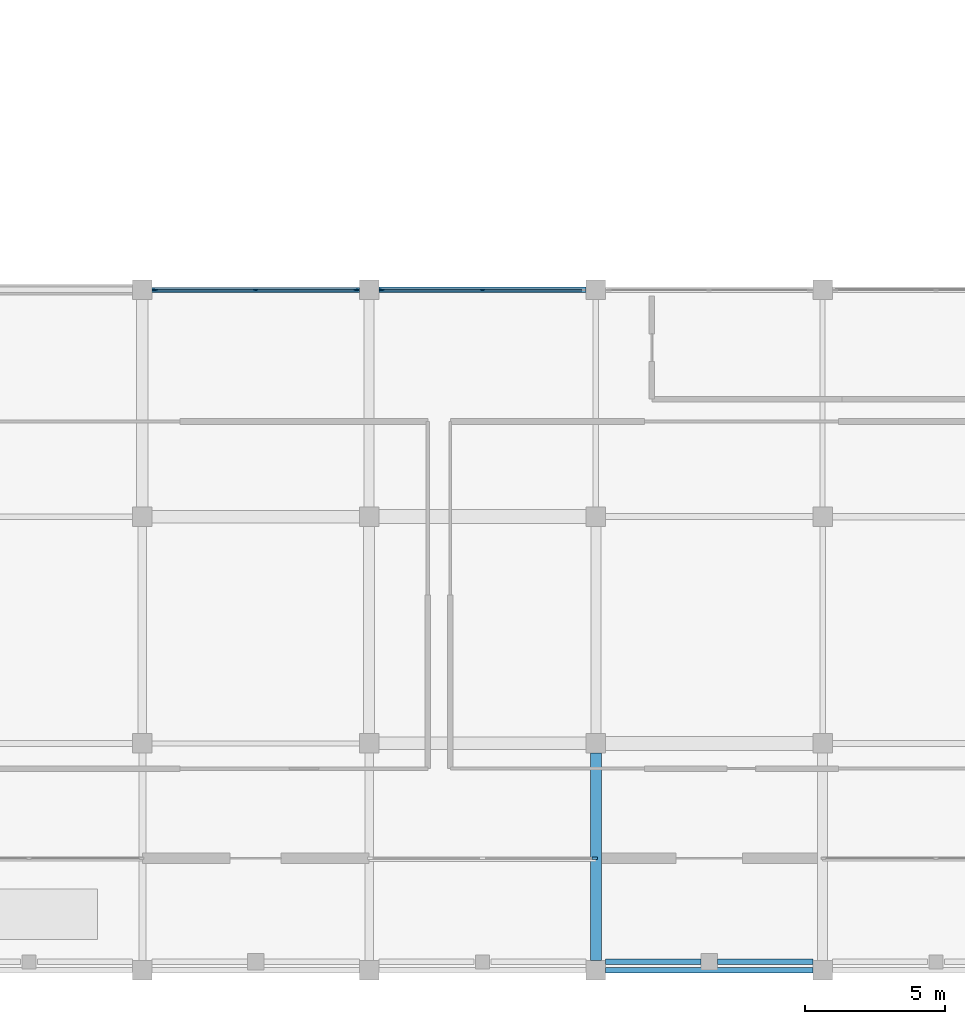
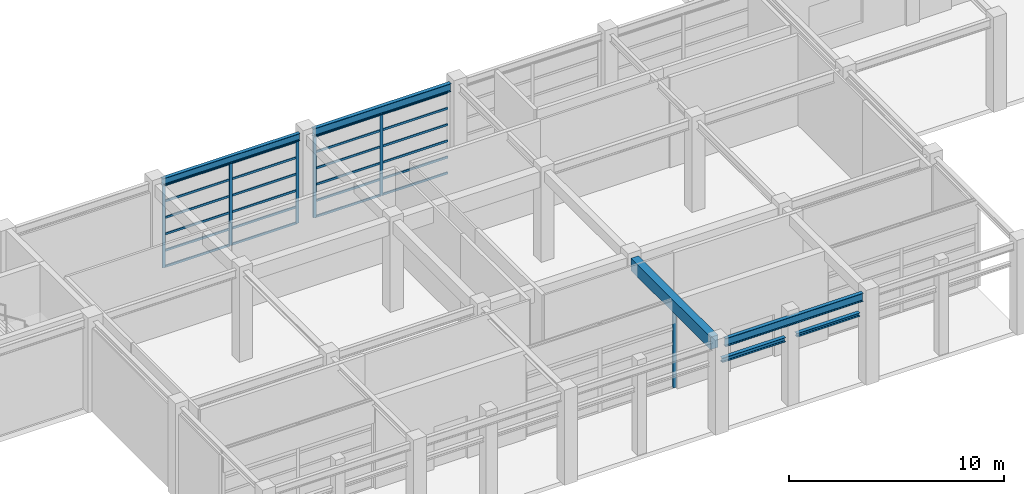
# One storey, part 11 of 52: 30 members, 6 beams, 3 elements without a shape of their own.
"""IFC4 building model written with IfcOpenShell, lengths in metres."""

from ifc_helpers import new_model, si_unit, direction, frame, origin, origin_2d, place, context, subcontext, project, spatial, rectangle, i_section, extrude, material, material_profile, profile_set, type_object, element, aggregate, save


model = new_model("IFC4")

# Units and contexts
model_context = context("Model", 3, precision=1e-05, world=origin(), true_north=direction((0.0, 1.0)))
body_context = subcontext(model_context, "Body", "Model", "MODEL_VIEW")
ifc_project = project(units=[si_unit("LENGTHUNIT", "METRE"), si_unit("AREAUNIT", "SQUARE_METRE"), si_unit("VOLUMEUNIT", "CUBIC_METRE"), si_unit("PLANEANGLEUNIT", "RADIAN"), si_unit("MASSUNIT", "GRAM", prefix="KILO")], contexts=[model_context])

# Site, building, storey
site_placement = place(None, origin())
site = spatial("IfcSite", under=ifc_project, at=site_placement, CompositionType="ELEMENT")
building_placement = place(site_placement, origin())
building = spatial("IfcBuilding", under=site, at=building_placement, Name="Parian Resonance Hall", CompositionType="ELEMENT")
storey_placement = place(building_placement, origin())
storey = spatial("IfcBuildingStorey", under=building, at=storey_placement, Name="L00", CompositionType="ELEMENT", Elevation=0.0)

# Beams
ifc_material_1 = material(Name="Concrete C40/50", Category="concrete")
ifc_material_profile_1 = material_profile(ifc_material_1, rectangle(XDim=0.39990234375, YDim=0.699951171875, at=origin_2d()), Name="RC-BM-400x700")
ifc_profile_set_1 = profile_set([ifc_material_profile_1], Name="Concrete C40/50")
beam_type_1 = type_object("IfcBeamType", Name="BM-RC400x700", PredefinedType="BEAM", material=ifc_profile_set_1)
beam_1_placement = place(storey_placement, frame((97.199951171875, 0.35009765625, 4.75), z_axis=(0.0, 1.0, 0.0), x_axis=(-1.0, 0.0, 0.0)))
element("IfcBeam", 1, at=beam_1_placement, inside=storey, type_object=beam_type_1, Name="GY-L00-0443", PredefinedType="BEAM", context=body_context, shape_type="SweptSolid", body=[
    extrude(rectangle(XDim=0.39990234375, YDim=0.699951171875, at=origin_2d()), origin(), (0.0, 0.0, 1.0), 7.39990234375),
])
ifc_material_2 = material(Name="Steel S355", Category="steel")
ifc_material_profile_2 = material_profile(ifc_material_2, i_section(OverallWidth=0.202880859375, OverallDepth=0.202880859375, WebThickness=0.007080078125, FlangeThickness=0.010986328125, FilletRadius=0.01025390625, at=origin_2d()), Name="W200x46")
ifc_profile_set_2 = profile_set([ifc_material_profile_2], Name="Steel S355")
beam_type_2 = type_object("IfcBeamType", Name="BM-W200x46", PredefinedType="LINTEL", material=ifc_profile_set_2)
beam_2_placement = place(storey_placement, frame((101.550048828125, 0.300048828125, 3.698486328125), z_axis=(1.0, 0.0, 0.0), x_axis=(0.0, 1.0, 0.0)))
element("IfcBeam", 2, at=beam_2_placement, inside=storey, type_object=beam_type_2, Name="LN-S-12B", PredefinedType="LINTEL", context=body_context, shape_type="SweptSolid", body=[
    extrude(i_section(OverallWidth=0.202880859375, OverallDepth=0.202880859375, WebThickness=0.007080078125, FlangeThickness=0.010986328125, FilletRadius=0.01025390625, at=origin_2d()), origin(), (0.0, 0.0, 1.0), 3.39990234375),
])
ifc_material_3 = material(Name="Steel S355", Category="steel")
ifc_material_profile_3 = material_profile(ifc_material_3, i_section(OverallWidth=0.202880859375, OverallDepth=0.251953125, WebThickness=0.008056640625, FlangeThickness=0.013427734375, FilletRadius=0.0126953125, at=origin_2d()), Name="W250x58")
ifc_profile_set_3 = profile_set([ifc_material_profile_3], Name="Steel S355")
beam_type_3 = type_object("IfcBeamType", Name="BM-W250x58", PredefinedType="LINTEL", material=ifc_profile_set_3)
beam_3_placement = place(storey_placement, frame((97.550048828125, 0.300048828125, 3.674072265625), z_axis=(1.0, 0.0, 0.0), x_axis=(0.0, 1.0, 0.0)))
element("IfcBeam", 3, at=beam_3_placement, inside=storey, type_object=beam_type_3, Name="LN-S-12A", PredefinedType="LINTEL", context=body_context, shape_type="SweptSolid", body=[
    extrude(i_section(OverallWidth=0.202880859375, OverallDepth=0.251953125, WebThickness=0.008056640625, FlangeThickness=0.013427734375, FilletRadius=0.0126953125, at=origin_2d()), origin(), (0.0, 0.0, 1.0), 3.39990234375),
])
ifc_material_4 = material(Name="Steel S355", Category="steel")
ifc_material_profile_4 = material_profile(ifc_material_4, i_section(OverallWidth=0.180908203125, OverallDepth=0.4169921875, WebThickness=0.010986328125, FlangeThickness=0.018310546875, FilletRadius=0.01513671875, at=origin_2d()), Name="W410x85")
ifc_profile_set_4 = profile_set([ifc_material_profile_4], Name="Steel S355")
beam_type_4 = type_object("IfcBeamType", Name="BM-W410x85", PredefinedType="SPANDREL", material=ifc_profile_set_4)
beam_4_placement = place(storey_placement, frame((81.35009765625, 24.300048828125, 4.8916015625), z_axis=(1.0, 0.0, 0.0), x_axis=(0.0, 1.0, 0.0)))
element("IfcBeam", 4, at=beam_4_placement, inside=storey, type_object=beam_type_4, Name="GX-L00-0319", PredefinedType="SPANDREL", context=body_context, shape_type="SweptSolid", body=[
    extrude(i_section(OverallWidth=0.180908203125, OverallDepth=0.4169921875, WebThickness=0.010986328125, FlangeThickness=0.018310546875, FilletRadius=0.01513671875, at=origin_2d()), origin(), (0.0, 0.0, 1.0), 7.39990234375),
])
ifc_material_5 = material(Name="Steel S355", Category="steel")
ifc_material_profile_5 = material_profile(ifc_material_5, i_section(OverallWidth=0.194091796875, OverallDepth=0.468994140625, WebThickness=0.0126953125, FlangeThickness=0.0205078125, FilletRadius=0.01513671875, at=origin_2d()), Name="W460x106")
ifc_profile_set_5 = profile_set([ifc_material_profile_5], Name="Steel S355")
beam_type_5 = type_object("IfcBeamType", Name="BM-W460x106", PredefinedType="SPANDREL", material=ifc_profile_set_5)
beam_5_placement = place(storey_placement, frame((89.449951171875, 24.300048828125, 4.865478515625), z_axis=(1.0, 0.0, 0.0), x_axis=(0.0, 1.0, 0.0)))
element("IfcBeam", 5, at=beam_5_placement, inside=storey, type_object=beam_type_5, Name="GX-L00-0326", PredefinedType="SPANDREL", context=body_context, shape_type="SweptSolid", body=[
    extrude(i_section(OverallWidth=0.194091796875, OverallDepth=0.468994140625, WebThickness=0.0126953125, FlangeThickness=0.0205078125, FilletRadius=0.01513671875, at=origin_2d()), origin(), (0.0, 0.0, 1.0), 7.400146484375),
])
beam_6_placement = place(storey_placement, frame((97.550048828125, 0.0, 4.865478515625), z_axis=(1.0, 0.0, 0.0), x_axis=(0.0, 1.0, 0.0)))
element("IfcBeam", 6, at=beam_6_placement, inside=storey, type_object=beam_type_5, Name="GX-L00-0330", PredefinedType="SPANDREL", context=body_context, shape_type="SweptSolid", body=[
    extrude(i_section(OverallWidth=0.194091796875, OverallDepth=0.468994140625, WebThickness=0.0126953125, FlangeThickness=0.0205078125, FilletRadius=0.01513671875, at=origin_2d()), origin(), (0.0, 0.0, 1.0), 7.39990234375),
])

# Curtain wall, members
ifc_material_6 = material(Name="Bronze-anodised aluminium frame", Category="aluminium")
curtain_wall_type_1 = type_object("IfcCurtainWallType", Name="CW-SYS-06", PredefinedType="NOTDEFINED", material=ifc_material_6)
curtain_wall_1_placement = place(storey_placement, origin())
curtain_wall_1 = element("IfcCurtainWall", 7, at=curtain_wall_1_placement, inside=storey, type_object=curtain_wall_type_1, Name="Curtain wall CW-L00-111", PredefinedType="NOTDEFINED")
ifc_material_7 = material(Name="Bronze-anodised aluminium frame", Category="aluminium")
ifc_material_profile_6 = material_profile(ifc_material_7, rectangle(XDim=0.06494140625, YDim=0.159912109375, at=origin_2d()), Name="CWM-65x160")
ifc_profile_set_6 = profile_set([ifc_material_profile_6], Name="Bronze-anodised aluminium frame")
member_type_1 = type_object("IfcMemberType", Name="CWM-65x160", PredefinedType="MULLION", material=ifc_profile_set_6)
member_1_placement = place(storey_placement, frame((81.46240234375, 24.300048828125, -0.008056640625), z_axis=(0.0, 0.0, 1.0), x_axis=(0.0, 1.0, 0.0)))
member_1 = element("IfcMember", 8, at=member_1_placement, type_object=member_type_1, Name="CW-06 mullion 1", PredefinedType="MULLION", context=body_context, shape_type="SweptSolid", body=[
    extrude(rectangle(XDim=0.06494140625, YDim=0.159912109375, at=origin_2d()), origin(), (0.0, 0.0, 1.0), 4.695068359375),
])
member_2_placement = place(storey_placement, frame((85.050048828125, 24.300048828125, -0.008056640625), z_axis=(0.0, 0.0, 1.0), x_axis=(0.0, 1.0, 0.0)))
member_2 = element("IfcMember", 9, at=member_2_placement, type_object=member_type_1, Name="CW-06 mullion 2", PredefinedType="MULLION", context=body_context, shape_type="SweptSolid", body=[
    extrude(rectangle(XDim=0.06494140625, YDim=0.159912109375, at=origin_2d()), origin(), (0.0, 0.0, 1.0), 4.695068359375),
])
member_3_placement = place(storey_placement, frame((88.637451171875, 24.300048828125, -0.008056640625), z_axis=(0.0, 0.0, 1.0), x_axis=(0.0, 1.0, 0.0)))
member_3 = element("IfcMember", 10, at=member_3_placement, type_object=member_type_1, Name="CW-06 mullion 3", PredefinedType="MULLION", context=body_context, shape_type="SweptSolid", body=[
    extrude(rectangle(XDim=0.06494140625, YDim=0.159912109375, at=origin_2d()), origin(), (0.0, 0.0, 1.0), 4.695068359375),
])

ifc_material_8 = material(Name="Bronze-anodised aluminium frame", Category="aluminium")
curtain_wall_type_2 = type_object("IfcCurtainWallType", Name="CW-SYS-01", PredefinedType="NOTDEFINED", material=ifc_material_8)
curtain_wall_2_placement = place(storey_placement, origin())
curtain_wall_2 = element("IfcCurtainWall", 11, at=curtain_wall_2_placement, inside=storey, type_object=curtain_wall_type_2, Name="Curtain wall CW-L00-117", PredefinedType="NOTDEFINED")
member_4_placement = place(storey_placement, frame((89.5625, 24.300048828125, -0.008056640625), z_axis=(0.0, 0.0, 1.0), x_axis=(0.0, 1.0, 0.0)))
member_4 = element("IfcMember", 12, at=member_4_placement, type_object=member_type_1, Name="CW-01 mullion 1", PredefinedType="MULLION", context=body_context, shape_type="SweptSolid", body=[
    extrude(rectangle(XDim=0.06494140625, YDim=0.159912109375, at=origin_2d()), origin(), (0.0, 0.0, 1.0), 4.64306640625),
])
member_5_placement = place(storey_placement, frame((93.14990234375, 24.300048828125, -0.008056640625), z_axis=(0.0, 0.0, 1.0), x_axis=(0.0, 1.0, 0.0)))
member_5 = element("IfcMember", 13, at=member_5_placement, type_object=member_type_1, Name="CW-01 mullion 2", PredefinedType="MULLION", context=body_context, shape_type="SweptSolid", body=[
    extrude(rectangle(XDim=0.06494140625, YDim=0.159912109375, at=origin_2d()), origin(), (0.0, 0.0, 1.0), 4.64306640625),
])

# Curtain wall, member
curtain_wall_3_placement = place(storey_placement, origin())
curtain_wall_3 = element("IfcCurtainWall", 14, at=curtain_wall_3_placement, inside=storey, type_object=curtain_wall_type_1, Name="Curtain wall CW-L00-074", PredefinedType="NOTDEFINED")
ifc_material_9 = material(Name="Bronze-anodised aluminium frame", Category="aluminium")
ifc_material_profile_7 = material_profile(ifc_material_9, rectangle(XDim=0.074951171875, YDim=0.199951171875, at=origin_2d()), Name="CWM-75x200")
ifc_profile_set_7 = profile_set([ifc_material_profile_7], Name="Bronze-anodised aluminium frame")
member_type_2 = type_object("IfcMemberType", Name="CWM-75x200", PredefinedType="MULLION", material=ifc_profile_set_7)
member_6_placement = place(storey_placement, frame((97.16259765625, 4.0, -0.008056640625), z_axis=(0.0, 0.0, 1.0), x_axis=(0.0, -1.0, 0.0)))
member_6 = element("IfcMember", 15, at=member_6_placement, type_object=member_type_2, Name="CW-06 mullion 1", PredefinedType="MULLION", context=body_context, shape_type="SweptSolid", body=[
    extrude(rectangle(XDim=0.074951171875, YDim=0.199951171875, at=origin_2d()), origin(), (0.0, 0.0, 1.0), 5.068115234375),
])
aggregate(curtain_wall_3, [member_6])

# Member
ifc_material_10 = material(Name="Bronze-anodised aluminium frame", Category="aluminium")
ifc_material_profile_8 = material_profile(ifc_material_10, rectangle(XDim=0.06494140625, YDim=0.1201171875, at=origin_2d()), Name="CWT-65x120")
ifc_profile_set_8 = profile_set([ifc_material_profile_8], Name="Bronze-anodised aluminium frame")
member_type_3 = type_object("IfcMemberType", Name="CWT-65x120", PredefinedType="USERDEFINED", material=ifc_profile_set_8)
member_7_placement = place(storey_placement, frame((81.4951171875, 24.300048828125, 0.0244140625), z_axis=(1.0, 0.0, 0.0), x_axis=(0.0, 1.0, 0.0)))
member_7 = element("IfcMember", 16, at=member_7_placement, type_object=member_type_3, Name="CW-06 transom 1.1", ObjectType="TRANSOM", PredefinedType="USERDEFINED", context=body_context, shape_type="SweptSolid", body=[
    extrude(rectangle(XDim=0.06494140625, YDim=0.1201171875, at=origin_2d()), origin(), (0.0, 0.0, 1.0), 3.5224609375),
])

member_8_placement = place(storey_placement, frame((81.4951171875, 24.300048828125, 0.935302734375), z_axis=(1.0, 0.0, 0.0), x_axis=(0.0, 1.0, 0.0)))
member_8 = element("IfcMember", 17, at=member_8_placement, type_object=member_type_3, Name="CW-06 transom 1.2", ObjectType="TRANSOM", PredefinedType="USERDEFINED", context=body_context, shape_type="SweptSolid", body=[
    extrude(rectangle(XDim=0.06494140625, YDim=0.1201171875, at=origin_2d()), origin(), (0.0, 0.0, 1.0), 3.5224609375),
])

member_9_placement = place(storey_placement, frame((81.4951171875, 24.300048828125, 1.870849609375), z_axis=(1.0, 0.0, 0.0), x_axis=(0.0, 1.0, 0.0)))
member_9 = element("IfcMember", 18, at=member_9_placement, type_object=member_type_3, Name="CW-06 transom 1.3", ObjectType="TRANSOM", PredefinedType="USERDEFINED", context=body_context, shape_type="SweptSolid", body=[
    extrude(rectangle(XDim=0.06494140625, YDim=0.1201171875, at=origin_2d()), origin(), (0.0, 0.0, 1.0), 3.5224609375),
])

member_10_placement = place(storey_placement, frame((81.4951171875, 24.300048828125, 2.80615234375), z_axis=(1.0, 0.0, 0.0), x_axis=(0.0, 1.0, 0.0)))
member_10 = element("IfcMember", 19, at=member_10_placement, type_object=member_type_3, Name="CW-06 transom 1.4", ObjectType="TRANSOM", PredefinedType="USERDEFINED", context=body_context, shape_type="SweptSolid", body=[
    extrude(rectangle(XDim=0.06494140625, YDim=0.1201171875, at=origin_2d()), origin(), (0.0, 0.0, 1.0), 3.5224609375),
])

member_11_placement = place(storey_placement, frame((81.4951171875, 24.300048828125, 3.74169921875), z_axis=(1.0, 0.0, 0.0), x_axis=(0.0, 1.0, 0.0)))
member_11 = element("IfcMember", 20, at=member_11_placement, type_object=member_type_3, Name="CW-06 transom 1.5", ObjectType="TRANSOM", PredefinedType="USERDEFINED", context=body_context, shape_type="SweptSolid", body=[
    extrude(rectangle(XDim=0.06494140625, YDim=0.1201171875, at=origin_2d()), origin(), (0.0, 0.0, 1.0), 3.5224609375),
])

member_12_placement = place(storey_placement, frame((81.4951171875, 24.300048828125, 4.654541015625), z_axis=(1.0, 0.0, 0.0), x_axis=(0.0, 1.0, 0.0)))
member_12 = element("IfcMember", 21, at=member_12_placement, type_object=member_type_3, Name="CW-06 transom 1.6", ObjectType="TRANSOM", PredefinedType="USERDEFINED", context=body_context, shape_type="SweptSolid", body=[
    extrude(rectangle(XDim=0.06494140625, YDim=0.1201171875, at=origin_2d()), origin(), (0.0, 0.0, 1.0), 3.5224609375),
])

member_13_placement = place(storey_placement, frame((85.08251953125, 24.300048828125, 0.0244140625), z_axis=(1.0, 0.0, 0.0), x_axis=(0.0, 1.0, 0.0)))
member_13 = element("IfcMember", 22, at=member_13_placement, type_object=member_type_3, Name="CW-06 transom 2.1", ObjectType="TRANSOM", PredefinedType="USERDEFINED", context=body_context, shape_type="SweptSolid", body=[
    extrude(rectangle(XDim=0.06494140625, YDim=0.1201171875, at=origin_2d()), origin(), (0.0, 0.0, 1.0), 3.5224609375),
])

member_14_placement = place(storey_placement, frame((85.08251953125, 24.300048828125, 0.935302734375), z_axis=(1.0, 0.0, 0.0), x_axis=(0.0, 1.0, 0.0)))
member_14 = element("IfcMember", 23, at=member_14_placement, type_object=member_type_3, Name="CW-06 transom 2.2", ObjectType="TRANSOM", PredefinedType="USERDEFINED", context=body_context, shape_type="SweptSolid", body=[
    extrude(rectangle(XDim=0.06494140625, YDim=0.1201171875, at=origin_2d()), origin(), (0.0, 0.0, 1.0), 3.5224609375),
])

member_15_placement = place(storey_placement, frame((85.08251953125, 24.300048828125, 1.870849609375), z_axis=(1.0, 0.0, 0.0), x_axis=(0.0, 1.0, 0.0)))
member_15 = element("IfcMember", 24, at=member_15_placement, type_object=member_type_3, Name="CW-06 transom 2.3", ObjectType="TRANSOM", PredefinedType="USERDEFINED", context=body_context, shape_type="SweptSolid", body=[
    extrude(rectangle(XDim=0.06494140625, YDim=0.1201171875, at=origin_2d()), origin(), (0.0, 0.0, 1.0), 3.5224609375),
])

member_16_placement = place(storey_placement, frame((85.08251953125, 24.300048828125, 2.80615234375), z_axis=(1.0, 0.0, 0.0), x_axis=(0.0, 1.0, 0.0)))
member_16 = element("IfcMember", 25, at=member_16_placement, type_object=member_type_3, Name="CW-06 transom 2.4", ObjectType="TRANSOM", PredefinedType="USERDEFINED", context=body_context, shape_type="SweptSolid", body=[
    extrude(rectangle(XDim=0.06494140625, YDim=0.1201171875, at=origin_2d()), origin(), (0.0, 0.0, 1.0), 3.5224609375),
])

member_17_placement = place(storey_placement, frame((85.08251953125, 24.300048828125, 3.74169921875), z_axis=(1.0, 0.0, 0.0), x_axis=(0.0, 1.0, 0.0)))
member_17 = element("IfcMember", 26, at=member_17_placement, type_object=member_type_3, Name="CW-06 transom 2.5", ObjectType="TRANSOM", PredefinedType="USERDEFINED", context=body_context, shape_type="SweptSolid", body=[
    extrude(rectangle(XDim=0.06494140625, YDim=0.1201171875, at=origin_2d()), origin(), (0.0, 0.0, 1.0), 3.5224609375),
])

member_18_placement = place(storey_placement, frame((85.08251953125, 24.300048828125, 4.654541015625), z_axis=(1.0, 0.0, 0.0), x_axis=(0.0, 1.0, 0.0)))
member_18 = element("IfcMember", 27, at=member_18_placement, type_object=member_type_3, Name="CW-06 transom 2.6", ObjectType="TRANSOM", PredefinedType="USERDEFINED", context=body_context, shape_type="SweptSolid", body=[
    extrude(rectangle(XDim=0.06494140625, YDim=0.1201171875, at=origin_2d()), origin(), (0.0, 0.0, 1.0), 3.5224609375),
])

aggregate(curtain_wall_1, [member_1, member_2, member_3, member_7, member_8, member_9, member_10, member_11, member_12, member_13, member_14, member_15, member_16, member_17, member_18])

member_19_placement = place(storey_placement, frame((89.594970703125, 24.300048828125, 0.0244140625), z_axis=(1.0, 0.0, 0.0), x_axis=(0.0, 1.0, 0.0)))
member_19 = element("IfcMember", 28, at=member_19_placement, type_object=member_type_3, Name="CW-01 transom 1.1", ObjectType="TRANSOM", PredefinedType="USERDEFINED", context=body_context, shape_type="SweptSolid", body=[
    extrude(rectangle(XDim=0.06494140625, YDim=0.1201171875, at=origin_2d()), origin(), (0.0, 0.0, 1.0), 3.5224609375),
])

member_20_placement = place(storey_placement, frame((89.594970703125, 24.300048828125, 0.925048828125), z_axis=(1.0, 0.0, 0.0), x_axis=(0.0, 1.0, 0.0)))
member_20 = element("IfcMember", 29, at=member_20_placement, type_object=member_type_3, Name="CW-01 transom 1.2", ObjectType="TRANSOM", PredefinedType="USERDEFINED", context=body_context, shape_type="SweptSolid", body=[
    extrude(rectangle(XDim=0.06494140625, YDim=0.1201171875, at=origin_2d()), origin(), (0.0, 0.0, 1.0), 3.5224609375),
])

member_21_placement = place(storey_placement, frame((89.594970703125, 24.300048828125, 1.85009765625), z_axis=(1.0, 0.0, 0.0), x_axis=(0.0, 1.0, 0.0)))
member_21 = element("IfcMember", 30, at=member_21_placement, type_object=member_type_3, Name="CW-01 transom 1.3", ObjectType="TRANSOM", PredefinedType="USERDEFINED", context=body_context, shape_type="SweptSolid", body=[
    extrude(rectangle(XDim=0.06494140625, YDim=0.1201171875, at=origin_2d()), origin(), (0.0, 0.0, 1.0), 3.5224609375),
])

member_22_placement = place(storey_placement, frame((89.594970703125, 24.300048828125, 2.77490234375), z_axis=(1.0, 0.0, 0.0), x_axis=(0.0, 1.0, 0.0)))
member_22 = element("IfcMember", 31, at=member_22_placement, type_object=member_type_3, Name="CW-01 transom 1.4", ObjectType="TRANSOM", PredefinedType="USERDEFINED", context=body_context, shape_type="SweptSolid", body=[
    extrude(rectangle(XDim=0.06494140625, YDim=0.1201171875, at=origin_2d()), origin(), (0.0, 0.0, 1.0), 3.5224609375),
])

member_23_placement = place(storey_placement, frame((89.594970703125, 24.300048828125, 3.699951171875), z_axis=(1.0, 0.0, 0.0), x_axis=(0.0, 1.0, 0.0)))
member_23 = element("IfcMember", 32, at=member_23_placement, type_object=member_type_3, Name="CW-01 transom 1.5", ObjectType="TRANSOM", PredefinedType="USERDEFINED", context=body_context, shape_type="SweptSolid", body=[
    extrude(rectangle(XDim=0.06494140625, YDim=0.1201171875, at=origin_2d()), origin(), (0.0, 0.0, 1.0), 3.5224609375),
])

member_24_placement = place(storey_placement, frame((89.594970703125, 24.300048828125, 4.6025390625), z_axis=(1.0, 0.0, 0.0), x_axis=(0.0, 1.0, 0.0)))
member_24 = element("IfcMember", 33, at=member_24_placement, type_object=member_type_3, Name="CW-01 transom 1.6", ObjectType="TRANSOM", PredefinedType="USERDEFINED", context=body_context, shape_type="SweptSolid", body=[
    extrude(rectangle(XDim=0.06494140625, YDim=0.1201171875, at=origin_2d()), origin(), (0.0, 0.0, 1.0), 3.5224609375),
])

member_25_placement = place(storey_placement, frame((93.1826171875, 24.300048828125, 0.0244140625), z_axis=(1.0, 0.0, 0.0), x_axis=(0.0, 1.0, 0.0)))
member_25 = element("IfcMember", 34, at=member_25_placement, type_object=member_type_3, Name="CW-01 transom 2.1", ObjectType="TRANSOM", PredefinedType="USERDEFINED", context=body_context, shape_type="SweptSolid", body=[
    extrude(rectangle(XDim=0.06494140625, YDim=0.1201171875, at=origin_2d()), origin(), (0.0, 0.0, 1.0), 3.5224609375),
])

member_26_placement = place(storey_placement, frame((93.1826171875, 24.300048828125, 0.925048828125), z_axis=(1.0, 0.0, 0.0), x_axis=(0.0, 1.0, 0.0)))
member_26 = element("IfcMember", 35, at=member_26_placement, type_object=member_type_3, Name="CW-01 transom 2.2", ObjectType="TRANSOM", PredefinedType="USERDEFINED", context=body_context, shape_type="SweptSolid", body=[
    extrude(rectangle(XDim=0.06494140625, YDim=0.1201171875, at=origin_2d()), origin(), (0.0, 0.0, 1.0), 3.5224609375),
])

member_27_placement = place(storey_placement, frame((93.1826171875, 24.300048828125, 1.85009765625), z_axis=(1.0, 0.0, 0.0), x_axis=(0.0, 1.0, 0.0)))
member_27 = element("IfcMember", 36, at=member_27_placement, type_object=member_type_3, Name="CW-01 transom 2.3", ObjectType="TRANSOM", PredefinedType="USERDEFINED", context=body_context, shape_type="SweptSolid", body=[
    extrude(rectangle(XDim=0.06494140625, YDim=0.1201171875, at=origin_2d()), origin(), (0.0, 0.0, 1.0), 3.5224609375),
])

member_28_placement = place(storey_placement, frame((93.1826171875, 24.300048828125, 2.77490234375), z_axis=(1.0, 0.0, 0.0), x_axis=(0.0, 1.0, 0.0)))
member_28 = element("IfcMember", 37, at=member_28_placement, type_object=member_type_3, Name="CW-01 transom 2.4", ObjectType="TRANSOM", PredefinedType="USERDEFINED", context=body_context, shape_type="SweptSolid", body=[
    extrude(rectangle(XDim=0.06494140625, YDim=0.1201171875, at=origin_2d()), origin(), (0.0, 0.0, 1.0), 3.5224609375),
])

member_29_placement = place(storey_placement, frame((93.1826171875, 24.300048828125, 3.699951171875), z_axis=(1.0, 0.0, 0.0), x_axis=(0.0, 1.0, 0.0)))
member_29 = element("IfcMember", 38, at=member_29_placement, type_object=member_type_3, Name="CW-01 transom 2.5", ObjectType="TRANSOM", PredefinedType="USERDEFINED", context=body_context, shape_type="SweptSolid", body=[
    extrude(rectangle(XDim=0.06494140625, YDim=0.1201171875, at=origin_2d()), origin(), (0.0, 0.0, 1.0), 3.5224609375),
])

member_30_placement = place(storey_placement, frame((93.1826171875, 24.300048828125, 4.6025390625), z_axis=(1.0, 0.0, 0.0), x_axis=(0.0, 1.0, 0.0)))
member_30 = element("IfcMember", 39, at=member_30_placement, type_object=member_type_3, Name="CW-01 transom 2.6", ObjectType="TRANSOM", PredefinedType="USERDEFINED", context=body_context, shape_type="SweptSolid", body=[
    extrude(rectangle(XDim=0.06494140625, YDim=0.1201171875, at=origin_2d()), origin(), (0.0, 0.0, 1.0), 3.5224609375),
])

aggregate(curtain_wall_2, [member_4, member_5, member_19, member_20, member_21, member_22, member_23, member_24, member_25, member_26, member_27, member_28, member_29, member_30])

save(model, "model.ifc")
